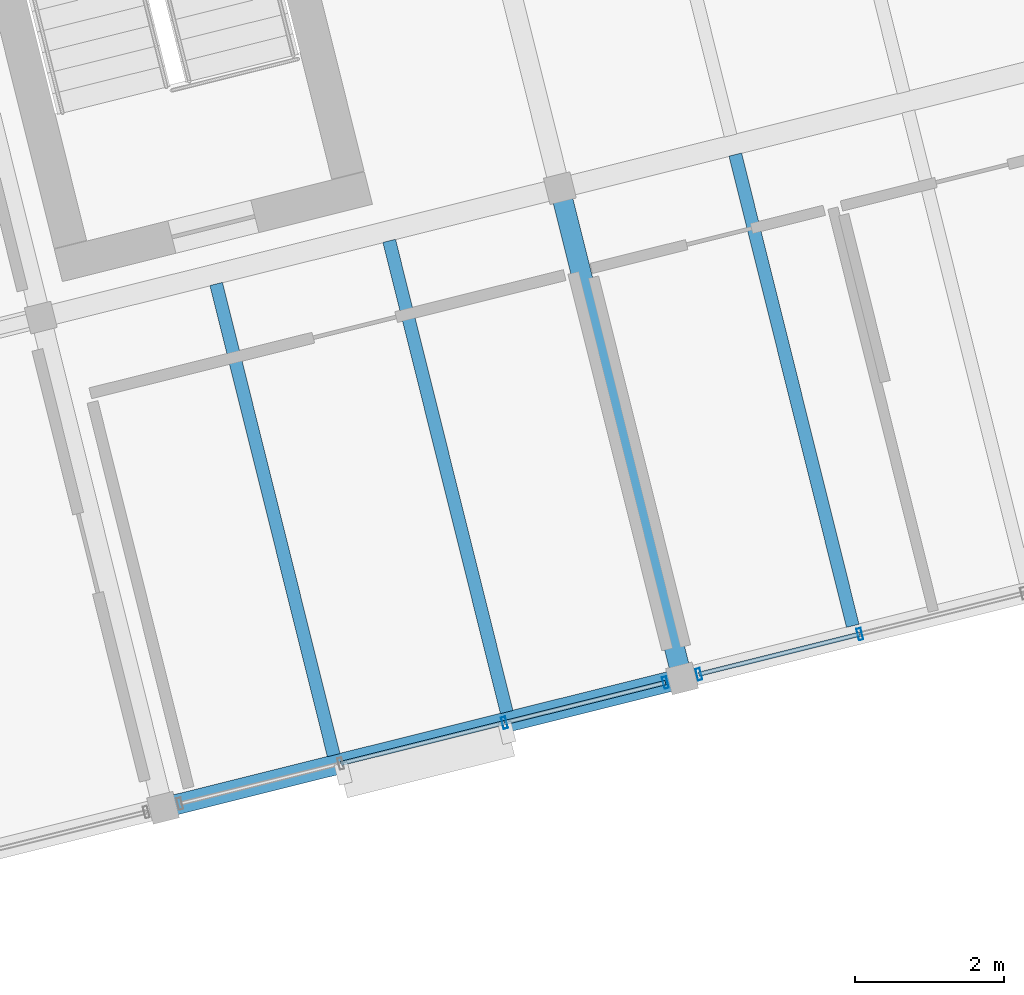
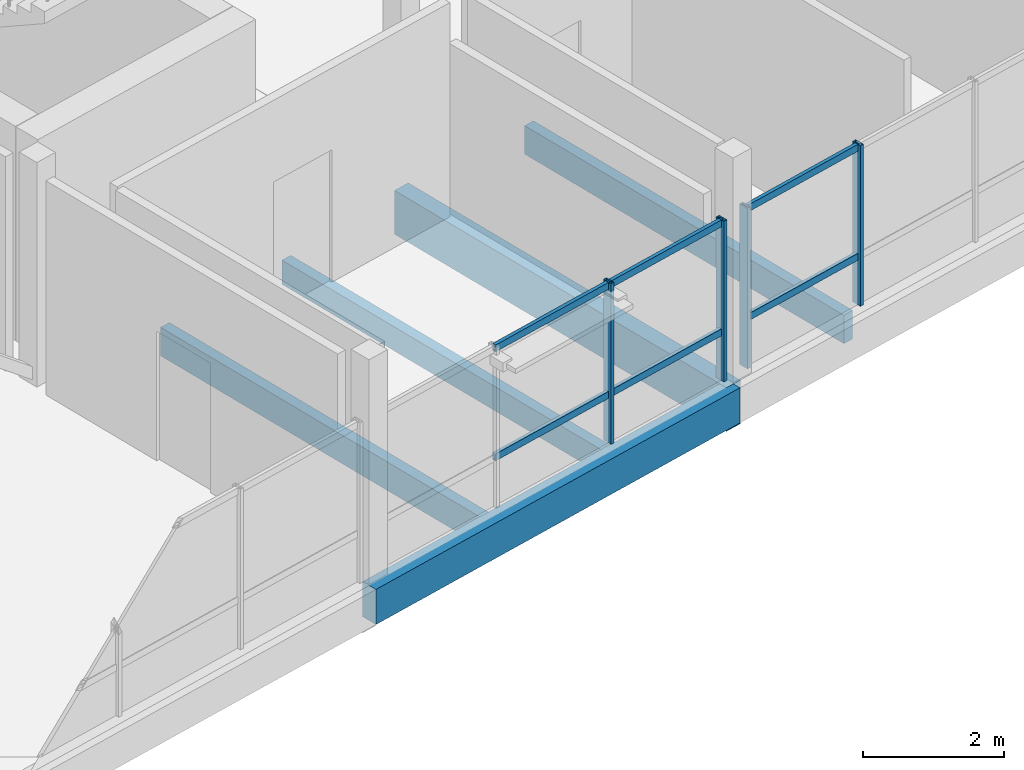
# One storey, part 5 of 28: 10 members, 5 beams, 2 elements without a shape of their own.
"""IFC4 building model written with IfcOpenShell, lengths in metres."""

from ifc_helpers import new_model, si_unit, direction, frame, origin, origin_2d, place, context, subcontext, project, spatial, rectangle, hollow_rectangle, extrude, material, layer, layer_set, material_profile, profile_set, type_object, element, aggregate, save


model = new_model("IFC4")

# Units and contexts
model_context = context("Model", 3, precision=1e-05, world=origin(), true_north=direction((0.0, 1.0)))
body_context = subcontext(model_context, "Body", "Model", "MODEL_VIEW")
ifc_project = project(units=[si_unit("LENGTHUNIT", "METRE"), si_unit("AREAUNIT", "SQUARE_METRE"), si_unit("VOLUMEUNIT", "CUBIC_METRE"), si_unit("PLANEANGLEUNIT", "RADIAN"), si_unit("MASSUNIT", "GRAM", prefix="KILO")], contexts=[model_context])

# Site, building, storey
site_placement = place(None, origin())
site = spatial("IfcSite", under=ifc_project, at=site_placement, CompositionType="ELEMENT")
building_placement = place(site_placement, origin())
building = spatial("IfcBuilding", under=site, at=building_placement, Name="Meriwether Solvik Hall", CompositionType="ELEMENT")
storey_placement = place(building_placement, frame((0.0, 0.0, 45.60009765625)))
storey = spatial("IfcBuildingStorey", under=building, at=storey_placement, Name="L11", CompositionType="ELEMENT", Elevation=45.60009765625)

# Beams
ifc_material_1 = material(Name="Glulam Douglas-Fir 24F-V8 GL28h", Category="wood")
ifc_material_profile_1 = material_profile(ifc_material_1, rectangle(XDim=0.27294921875, YDim=0.610107421875, at=origin_2d()), Name="GLB-273X610")
ifc_profile_set_1 = profile_set([ifc_material_profile_1], Name="Glulam Douglas-Fir 24F-V8 GL28h")
beam_type_1 = type_object("IfcBeamType", Name="BM-GL-273X610", PredefinedType="SPANDREL", material=ifc_profile_set_1)
beam_1_placement = place(storey_placement, frame((75.974365234375, 43.03857421875, -0.505126953125), z_axis=(0.970291911955, 0.241937193493, 0.0), x_axis=(-0.241937193493, 0.970291911955, 0.0)))
element("IfcBeam", 1, at=beam_1_placement, inside=storey, type_object=beam_type_1, Name="Tower Girder TA:T2-T3 (L11)", PredefinedType="SPANDREL", context=body_context, shape_type="SweptSolid", body=[
    extrude(rectangle(XDim=0.27294921875, YDim=0.610107421875, at=origin_2d()), origin(), (0.0, 0.0, 1.0), 7.199951171875),
])
ifc_material_2 = material(Name="Glulam Douglas-Fir 24F-V8 GL28h", Category="wood")
ifc_material_profile_2 = material_profile(ifc_material_2, rectangle(XDim=0.27294921875, YDim=0.760009765625, at=origin_2d()), Name="GLB-273X760")
ifc_profile_set_2 = profile_set([ifc_material_profile_2], Name="Glulam Douglas-Fir 24F-V8 GL28h")
beam_type_2 = type_object("IfcBeamType", Name="BM-GL-273X760", PredefinedType="BEAM", material=ifc_profile_set_2)
beam_2_placement = place(storey_placement, frame((82.96044921875, 44.780517578125, -0.580078125), z_axis=(-0.241918877831, 0.970296478685, 0.0), x_axis=(-0.970296478685, -0.241918877831, 0.0)))
element("IfcBeam", 2, at=beam_2_placement, inside=storey, type_object=beam_type_2, Name="Tower Girder T3:TA-TB (L11)", PredefinedType="BEAM", context=body_context, shape_type="SweptSolid", body=[
    extrude(rectangle(XDim=0.27294921875, YDim=0.760009765625, at=origin_2d()), origin(), (0.0, 0.0, 1.0), 6.7998046875),
])

# Curtain wall, members
ifc_material_3 = material(Name="Thermally Broken Anodised Aluminium 6063-T6 and Low-E Glass", Category="aluminium")
ifc_layer_1 = layer(ifc_material_3, 0.179931640625)
ifc_layer_set_1 = layer_set([ifc_layer_1], Name="Thermally Broken Anodised Aluminium 6063-T6 and Low-E Glass")
curtain_wall_type_1 = type_object("IfcCurtainWallType", Name="CW-UNIT-C", PredefinedType="USERDEFINED", material=ifc_layer_set_1)
curtain_wall_1_placement = place(storey_placement, origin())
curtain_wall_1 = element("IfcCurtainWall", 3, at=curtain_wall_1_placement, inside=storey, type_object=curtain_wall_type_1, Name="Curtain Wall E0_B1 (L11)", ObjectType="UNITISED CURTAIN WALL", PredefinedType="USERDEFINED")
ifc_material_4 = material(Name="Anodised Aluminium 6063-T6", Category="aluminium")
ifc_material_profile_3 = material_profile(ifc_material_4, hollow_rectangle(XDim=0.06005859375, YDim=0.159912109375, WallThickness=0.00390625, at=origin_2d()), Name="CWM-60X160")
ifc_profile_set_3 = profile_set([ifc_material_profile_3], Name="Anodised Aluminium 6063-T6")
member_type_1 = type_object("IfcMemberType", Name="CW-MUL-60X160", PredefinedType="MULLION", material=ifc_profile_set_3)
member_1_placement = place(storey_placement, frame((82.73486328125, 44.72412109375, 0.0), z_axis=(0.0, 0.0, 1.0), x_axis=(-0.970295725693, -0.241921897937, 0.0)))
member_1 = element("IfcMember", 4, at=member_1_placement, type_object=member_type_1, Name="Curtain Wall Mullion 1", PredefinedType="MULLION", context=body_context, shape_type="SweptSolid", body=[
    extrude(hollow_rectangle(XDim=0.06005859375, YDim=0.159912109375, WallThickness=0.00390625, at=origin_2d()), origin(), (0.0, 0.0, 1.0), 2.789794921875),
])
member_2_placement = place(storey_placement, frame((80.56884765625, 44.18408203125, 0.0), z_axis=(0.0, 0.0, 1.0), x_axis=(-0.970295725693, -0.241921897937, 0.0)))
member_2 = element("IfcMember", 5, at=member_2_placement, type_object=member_type_1, Name="Curtain Wall Mullion 2", PredefinedType="MULLION", context=body_context, shape_type="SweptSolid", body=[
    extrude(hollow_rectangle(XDim=0.06005859375, YDim=0.159912109375, WallThickness=0.00390625, at=origin_2d()), origin(), (0.0, 0.0, 1.0), 2.789794921875),
])

ifc_material_5 = material(Name="Thermally Broken Anodised Aluminium 6063-T6 and Low-E Glass", Category="aluminium")
ifc_layer_2 = layer(ifc_material_5, 0.179931640625)
ifc_layer_set_2 = layer_set([ifc_layer_2], Name="Thermally Broken Anodised Aluminium 6063-T6 and Low-E Glass")
curtain_wall_type_2 = type_object("IfcCurtainWallType", Name="CW-UNIT-D", PredefinedType="USERDEFINED", material=ifc_layer_set_2)
curtain_wall_2_placement = place(storey_placement, origin())
curtain_wall_2 = element("IfcCurtainWall", 6, at=curtain_wall_2_placement, inside=storey, type_object=curtain_wall_type_2, Name="Curtain Wall E0_B2 (L11)", ObjectType="UNITISED CURTAIN WALL", PredefinedType="USERDEFINED")
member_3_placement = place(storey_placement, frame((85.35205078125, 45.376708984375, 0.0), z_axis=(0.0, 0.0, 1.0), x_axis=(-0.970295725693, -0.241921897937, 0.0)))
member_3 = element("IfcMember", 7, at=member_3_placement, type_object=member_type_1, Name="Curtain Wall Mullion 3", PredefinedType="MULLION", context=body_context, shape_type="SweptSolid", body=[
    extrude(hollow_rectangle(XDim=0.06005859375, YDim=0.159912109375, WallThickness=0.00390625, at=origin_2d()), origin(), (0.0, 0.0, 1.0), 2.789794921875),
])
member_4_placement = place(storey_placement, frame((83.18603515625, 44.836669921875, 0.0), z_axis=(0.0, 0.0, 1.0), x_axis=(-0.970295725693, -0.241921897937, 0.0)))
member_4 = element("IfcMember", 8, at=member_4_placement, type_object=member_type_1, Name="Curtain Wall Mullion 4", PredefinedType="MULLION", context=body_context, shape_type="SweptSolid", body=[
    extrude(hollow_rectangle(XDim=0.06005859375, YDim=0.159912109375, WallThickness=0.00390625, at=origin_2d()), origin(), (0.0, 0.0, 1.0), 2.789794921875),
])

# Member
ifc_material_6 = material(Name="Anodised Aluminium 6063-T6", Category="aluminium")
ifc_material_profile_4 = material_profile(ifc_material_6, hollow_rectangle(XDim=0.06005859375, YDim=0.1201171875, WallThickness=0.00390625, at=origin_2d()), Name="CWT-60X120")
ifc_profile_set_4 = profile_set([ifc_material_profile_4], Name="Anodised Aluminium 6063-T6")
member_type_2 = type_object("IfcMemberType", Name="CW-TRN-60X120", PredefinedType="USERDEFINED", material=ifc_profile_set_4)
member_5_placement = place(storey_placement, frame((82.73486328125, 44.72412109375, 0.8369140625), z_axis=(-0.970296702868, -0.241917978668, 0.0), x_axis=(0.241917978668, -0.970296702868, 0.0)))
member_5 = element("IfcMember", 9, at=member_5_placement, type_object=member_type_2, Name="Curtain Wall Transom 1-sill", ObjectType="TRANSOM", PredefinedType="USERDEFINED", context=body_context, shape_type="SweptSolid", body=[
    extrude(hollow_rectangle(XDim=0.06005859375, YDim=0.1201171875, WallThickness=0.00390625, at=origin_2d()), origin(), (0.0, 0.0, 1.0), 2.232421875),
])

member_6_placement = place(storey_placement, frame((82.73486328125, 44.72412109375, 2.72998046875), z_axis=(-0.970296702868, -0.241917978668, 0.0), x_axis=(0.241917978668, -0.970296702868, 0.0)))
member_6 = element("IfcMember", 10, at=member_6_placement, type_object=member_type_2, Name="Curtain Wall Transom 1-head", ObjectType="TRANSOM", PredefinedType="USERDEFINED", context=body_context, shape_type="SweptSolid", body=[
    extrude(hollow_rectangle(XDim=0.06005859375, YDim=0.1201171875, WallThickness=0.00390625, at=origin_2d()), origin(), (0.0, 0.0, 1.0), 2.232421875),
])

member_7_placement = place(storey_placement, frame((80.56884765625, 44.18408203125, 0.8369140625), z_axis=(-0.970313054834, -0.241852383943, 0.0), x_axis=(0.241852383943, -0.970313054834, 0.0)))
member_7 = element("IfcMember", 11, at=member_7_placement, type_object=member_type_2, Name="Curtain Wall Transom 2-sill", ObjectType="TRANSOM", PredefinedType="USERDEFINED", context=body_context, shape_type="SweptSolid", body=[
    extrude(hollow_rectangle(XDim=0.06005859375, YDim=0.1201171875, WallThickness=0.00390625, at=origin_2d()), origin(), (0.0, 0.0, 1.0), 2.270263671875),
])

member_8_placement = place(storey_placement, frame((80.56884765625, 44.18408203125, 2.72998046875), z_axis=(-0.970313054834, -0.241852383943, 0.0), x_axis=(0.241852383943, -0.970313054834, 0.0)))
member_8 = element("IfcMember", 12, at=member_8_placement, type_object=member_type_2, Name="Curtain Wall Transom 2-head", ObjectType="TRANSOM", PredefinedType="USERDEFINED", context=body_context, shape_type="SweptSolid", body=[
    extrude(hollow_rectangle(XDim=0.06005859375, YDim=0.1201171875, WallThickness=0.00390625, at=origin_2d()), origin(), (0.0, 0.0, 1.0), 2.270263671875),
])

aggregate(curtain_wall_1, [member_1, member_2, member_5, member_6, member_7, member_8])

member_9_placement = place(storey_placement, frame((85.35205078125, 45.376708984375, 0.8369140625), z_axis=(-0.970296702868, -0.241917978668, 0.0), x_axis=(0.241917978668, -0.970296702868, 0.0)))
member_9 = element("IfcMember", 13, at=member_9_placement, type_object=member_type_2, Name="Curtain Wall Transom 3-sill", ObjectType="TRANSOM", PredefinedType="USERDEFINED", context=body_context, shape_type="SweptSolid", body=[
    extrude(hollow_rectangle(XDim=0.06005859375, YDim=0.1201171875, WallThickness=0.00390625, at=origin_2d()), origin(), (0.0, 0.0, 1.0), 2.232421875),
])

member_10_placement = place(storey_placement, frame((85.35205078125, 45.376708984375, 2.72998046875), z_axis=(-0.970296702868, -0.241917978668, 0.0), x_axis=(0.241917978668, -0.970296702868, 0.0)))
member_10 = element("IfcMember", 14, at=member_10_placement, type_object=member_type_2, Name="Curtain Wall Transom 3-head", ObjectType="TRANSOM", PredefinedType="USERDEFINED", context=body_context, shape_type="SweptSolid", body=[
    extrude(hollow_rectangle(XDim=0.06005859375, YDim=0.1201171875, WallThickness=0.00390625, at=origin_2d()), origin(), (0.0, 0.0, 1.0), 2.232421875),
])

aggregate(curtain_wall_2, [member_3, member_4, member_9, member_10])

# Beams
ifc_material_7 = material(Name="Glulam Douglas-Fir 24F-V8 GL28h", Category="wood")
ifc_material_profile_5 = material_profile(ifc_material_7, rectangle(XDim=0.175048828125, YDim=0.419921875, at=origin_2d()), Name="GLJ-175X420")
ifc_profile_set_5 = profile_set([ifc_material_profile_5], Name="Glulam Douglas-Fir 24F-V8 GL28h")
beam_type_3 = type_object("IfcBeamType", Name="JST-GL-175X420", PredefinedType="JOIST", material=ifc_profile_set_5)
beam_3_placement = place(storey_placement, frame((80.599853515625, 44.327392578125, -0.41015625), z_axis=(-0.241938016776, 0.970291706673, 0.0), x_axis=(-0.970291706673, -0.241938016776, 0.0)))
element("IfcBeam", 15, at=beam_3_placement, inside=storey, type_object=beam_type_3, Name="Glulam Floor Joist T2/TA-J2 (L11)", PredefinedType="JOIST", context=body_context, shape_type="SweptSolid", body=[
    extrude(rectangle(XDim=0.175048828125, YDim=0.419921875, at=origin_2d()), origin(), (0.0, 0.0, 1.0), 6.536865234375),
])
ifc_material_8 = material(Name="Glulam Douglas-Fir 24F-V8 GL28h", Category="wood")
ifc_material_profile_6 = material_profile(ifc_material_8, rectangle(XDim=0.175048828125, YDim=0.4951171875, at=origin_2d()), Name="GLJ-175X495")
ifc_profile_set_6 = profile_set([ifc_material_profile_6], Name="Glulam Douglas-Fir 24F-V8 GL28h")
beam_type_4 = type_object("IfcBeamType", Name="JST-GL-175X495", PredefinedType="JOIST", material=ifc_profile_set_6)
for number, where, z_axis, x_axis, name in (
    (16, (78.271240234375, 43.746826171875, -0.447509765625), (-0.241938016776, 0.970291706673, 0.0), (-0.970291706673, -0.241938016776, 0.0), "Glulam Floor Joist T2/TA-J1 (L11)"),
    (17, (85.25732421875, 45.48876953125, -0.447509765625), (-0.241938016776, 0.970291706673, 0.0), (-0.970291706673, -0.241938016776, 0.0), "Glulam Floor Joist T3/TA-J1 (L11)"),
):
    element("IfcBeam", number, at=place(storey_placement, frame(where, z_axis=z_axis, x_axis=x_axis)), inside=storey, type_object=beam_type_4, Name=name, PredefinedType="JOIST", context=body_context, shape_type="SweptSolid", body=[
        extrude(rectangle(XDim=0.175048828125, YDim=0.4951171875, at=origin_2d()), origin(), (0.0, 0.0, 1.0), 6.536865234375),
    ])

save(model, "model.ifc")
